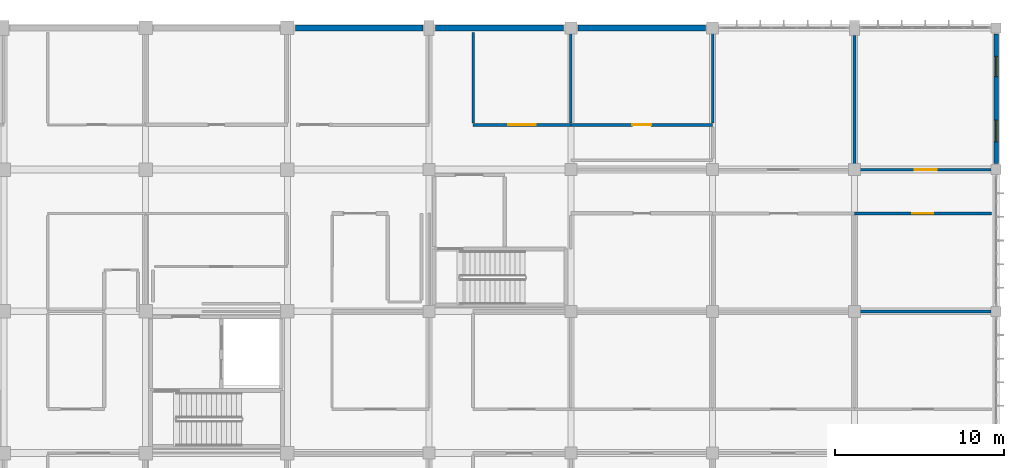
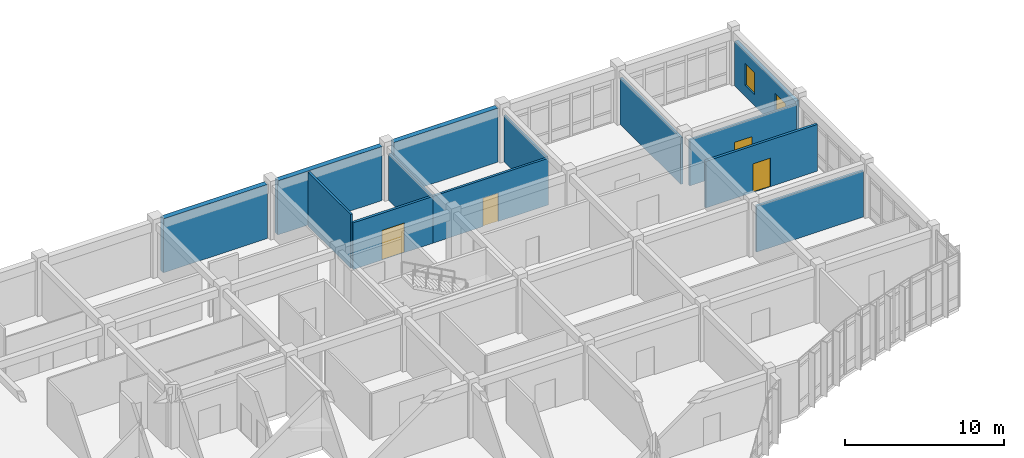
# One storey, part 121 of 144: 13 walls, 4 doors, 2 windows, 6 openings.
"""IFC4 building model written with IfcOpenShell, lengths in metres."""

from ifc_helpers import new_model, si_unit, direction, frame, frame_2d, origin, place, context, subcontext, project, spatial, rectangle, extrude, material, layer, layer_set, type_object, element, fill, save


model = new_model("IFC4")

# Units and contexts
model_context = context("Model", 3, precision=1e-05, world=origin(), true_north=direction((0.0, 1.0)))
body_context = subcontext(model_context, "Body", "Model", "MODEL_VIEW")
ifc_project = project(units=[si_unit("LENGTHUNIT", "METRE"), si_unit("AREAUNIT", "SQUARE_METRE"), si_unit("VOLUMEUNIT", "CUBIC_METRE"), si_unit("PLANEANGLEUNIT", "RADIAN"), si_unit("MASSUNIT", "GRAM", prefix="KILO")], contexts=[model_context])

# Site, building, storey
site_placement = place(None, origin())
site = spatial("IfcSite", under=ifc_project, at=site_placement, CompositionType="ELEMENT")
building_placement = place(site_placement, origin())
building = spatial("IfcBuilding", under=site, at=building_placement, Name="Bramfleet General Hospital", CompositionType="ELEMENT")
storey_placement = place(building_placement, frame((0.0, 0.0, 4.800048828125)))
storey = spatial("IfcBuildingStorey", under=building, at=storey_placement, Name="L01", CompositionType="ELEMENT", Elevation=4.800048828125)

# Walls
ifc_material_1 = material(Name="Concrete C35/45", Category="concrete")
ifc_layer_1 = layer(ifc_material_1, 0.360107421875, Name="WT-EW-02")
ifc_layer_set_1 = layer_set([ifc_layer_1], Name="Concrete C35/45")
wall_type_1 = type_object("IfcWallType", Name="WT-EW-02", PredefinedType="SOLIDWALL", material=ifc_layer_set_1)
wall_1_placement = place(storey_placement, frame((126.47509765625, 117.60009765625, 0.0), z_axis=(0.0, 0.0, 1.0), x_axis=(1.0, 0.0, 0.0)))
element("IfcWall", 1, at=wall_1_placement, inside=storey, type_object=wall_type_1, Name="L01 North REI 90-M Party Wall 171", PredefinedType="SOLIDWALL", context=body_context, shape_type="SweptSolid", body=[
    extrude(rectangle(XDim=7.5498046875, YDim=0.360107421875, at=frame_2d((3.77490234375, 0.0))), origin(), (0.0, 0.0, 1.0), 4.14990234375),
])
wall_2_placement = place(storey_placement, frame((134.77490234375, 117.60009765625, 0.0), z_axis=(0.0, 0.0, 1.0), x_axis=(1.0, 0.0, 0.0)))
element("IfcWall", 2, at=wall_2_placement, inside=storey, type_object=wall_type_1, Name="L01 North REI 90-M Party Wall 172", PredefinedType="SOLIDWALL", context=body_context, shape_type="SweptSolid", body=[
    extrude(rectangle(XDim=7.60009765625, YDim=0.360107421875, at=frame_2d((3.800048828125, 0.0))), origin(), (0.0, 0.0, 1.0), 4.14990234375),
])
wall_3_placement = place(storey_placement, frame((143.22509765625, 117.60009765625, 0.0), z_axis=(0.0, 0.0, 1.0), x_axis=(1.0, 0.0, 0.0)))
element("IfcWall", 3, at=wall_3_placement, inside=storey, type_object=wall_type_1, Name="L01 North REI 90-M Party Wall 173", PredefinedType="SOLIDWALL", context=body_context, shape_type="SweptSolid", body=[
    extrude(rectangle(XDim=7.5498046875, YDim=0.360107421875, at=frame_2d((3.77490234375, 0.0))), origin(), (0.0, 0.0, 1.0), 4.14990234375),
])

# Wall, openings, windows
ifc_material_2 = material(Name="Precast concrete C40/50", Category="concrete")
ifc_layer_2 = layer(ifc_material_2, 0.25, Name="WT-EW-08")
ifc_layer_set_2 = layer_set([ifc_layer_2], Name="Precast concrete C40/50")
wall_type_2 = type_object("IfcWallType", Name="WT-EW-08", PredefinedType="SOLIDWALL", material=ifc_layer_set_2)
wall_4_placement = place(storey_placement, frame((168.0, 117.22509765625, 0.0), z_axis=(0.0, 0.0, 1.0), x_axis=(0.0, -1.0, 0.0)))
wall_4 = element("IfcWall", 4, at=wall_4_placement, inside=storey, type_object=wall_type_2, Name="L01 Exterior Wall 174", PredefinedType="SOLIDWALL", context=body_context, shape_type="SweptSolid", body=[
    extrude(rectangle(XDim=7.650146484375, YDim=0.25, at=frame_2d((3.8251953125, 0.0))), origin(), (0.0, 0.0, 1.0), 3.43994140625),
])
opening_1_placement = place(wall_4_placement, frame((1.3125, 0.0, 0.85009765625)))
opening_1 = element("IfcOpeningElement", 5, at=opening_1_placement, cuts=wall_4, Name="Opening W-32", PredefinedType="OPENING", context=body_context, shape_type="SweptSolid", body=[
    extrude(rectangle(XDim=1.199951171875, YDim=1.659912109375, at=frame_2d((0.60009765625, 0.830078125))), frame((0.0, 0.135009765625, 0.0), z_axis=(0.0, -1.0, 0.0), x_axis=(1.0, 0.0, 0.0)), (0.0, 0.0, 1.0), 0.27001953125),
])
opening_2_placement = place(wall_4_placement, frame((5.08740234375, 0.0, 0.85009765625)))
opening_2 = element("IfcOpeningElement", 6, at=opening_2_placement, cuts=wall_4, Name="Opening W-33", PredefinedType="OPENING", context=body_context, shape_type="SweptSolid", body=[
    extrude(rectangle(XDim=1.300048828125, YDim=1.659912109375, at=frame_2d((0.64990234375, 0.830078125))), frame((0.0, 0.135009765625, 0.0), z_axis=(0.0, -1.0, 0.0), x_axis=(1.0, 0.0, 0.0)), (0.0, 0.0, 1.0), 0.27001953125),
])
ifc_material_3 = material(Name="Anodised aluminium and low-E triple glazing", Category="aluminium")
window_type_1 = type_object("IfcWindowType", Name="WIN-W-32", PartitioningType="SINGLE_PANEL", PredefinedType="WINDOW", material=ifc_material_3)
window_1_placement = place(opening_1_placement, origin())
window_1 = element("IfcWindow", 7, at=window_1_placement, inside=storey, type_object=window_type_1, Name="L01 Facade Window WIN-L01-174-1", OverallHeight=1.659912109375, OverallWidth=1.199951171875, PartitioningType="SINGLE_PANEL", PredefinedType="WINDOW", context=body_context, shape_type="SweptSolid", body=[
    extrude(rectangle(XDim=1.199951171875, YDim=1.659912109375, at=frame_2d((0.60009765625, 0.830078125))), frame((0.0, 0.030029296875, 0.0), z_axis=(0.0, -1.0, 0.0), x_axis=(1.0, 0.0, 0.0)), (0.0, 0.0, 1.0), 0.06005859375),
])
fill(opening_1, window_1)
window_type_2 = type_object("IfcWindowType", Name="WIN-W-33", PartitioningType="SINGLE_PANEL", PredefinedType="WINDOW", material=ifc_material_3)
window_2_placement = place(opening_2_placement, origin())
window_2 = element("IfcWindow", 8, at=window_2_placement, inside=storey, type_object=window_type_2, Name="L01 Facade Window WIN-L01-174-2", OverallHeight=1.659912109375, OverallWidth=1.300048828125, PartitioningType="SINGLE_PANEL", PredefinedType="WINDOW", context=body_context, shape_type="SweptSolid", body=[
    extrude(rectangle(XDim=1.300048828125, YDim=1.659912109375, at=frame_2d((0.64990234375, 0.830078125))), frame((0.0, 0.030029296875, 0.0), z_axis=(0.0, -1.0, 0.0), x_axis=(1.0, 0.0, 0.0)), (0.0, 0.0, 1.0), 0.06005859375),
])
fill(opening_2, window_2)

# Wall, opening, door
ifc_layer_3 = layer(ifc_material_1, 0.179931640625, Name="WT-IW-04")
ifc_layer_set_3 = layer_set([ifc_layer_3], Name="Concrete C35/45")
wall_type_3 = type_object("IfcWallType", Name="WT-IW-04", PredefinedType="PARTITIONING", material=ifc_layer_set_3)
wall_5_placement = place(storey_placement, frame((159.60009765625, 106.60009765625, 0.0), z_axis=(0.0, 0.0, 1.0), x_axis=(1.0, 0.0, 0.0)))
wall_5 = element("IfcWall", 9, at=wall_5_placement, inside=storey, type_object=wall_type_3, Name="L01 Interior Partition IW-L01-1552", PredefinedType="PARTITIONING", context=body_context, shape_type="SweptSolid", body=[
    extrude(rectangle(XDim=8.119873046875, YDim=0.179931640625, at=frame_2d((4.06005859375, 0.0))), origin(), (0.0, 0.0, 1.0), 3.58984375),
])
opening_3_placement = place(wall_5_placement, frame((3.43505859375, 0.0, 0.0)))
opening_3 = element("IfcOpeningElement", 10, at=opening_3_placement, cuts=wall_5, Name="Opening D0846", PredefinedType="OPENING", context=body_context, shape_type="SweptSolid", body=[
    extrude(rectangle(XDim=1.25, YDim=2.199951171875, at=frame_2d((0.625, 1.10009765625))), frame((0.0, 0.099853515625, 0.0), z_axis=(0.0, -1.0, 0.0), x_axis=(1.0, 0.0, 0.0)), (0.0, 0.0, 1.0), 0.199951171875),
])
ifc_material_4 = material(Name="Stainless steel and acoustic timber leaf", Category="steel")
door_type_1 = type_object("IfcDoorType", Name="DR-D-14", OperationType="NOTDEFINED", PredefinedType="DOOR", material=ifc_material_4)
door_1_placement = place(opening_3_placement, origin())
door_1 = element("IfcDoor", 11, at=door_1_placement, inside=storey, type_object=door_type_1, Name="Pathology and Clinical Laboratory L01-1912A Door D0846", OperationType="SINGLE_SWING_LEFT", OverallHeight=2.199951171875, OverallWidth=1.25, PredefinedType="DOOR", context=body_context, shape_type="SweptSolid", body=[
    extrude(rectangle(XDim=1.25, YDim=2.199951171875, at=frame_2d((0.625, 1.10009765625))), frame((0.0, 0.02490234375, 0.0), z_axis=(0.0, -1.0, 0.0), x_axis=(1.0, 0.0, 0.0)), (0.0, 0.0, 1.0), 0.050048828125),
])
fill(opening_3, door_1)

wall_6_placement = place(storey_placement, frame((137.0, 111.85009765625, 0.0), z_axis=(0.0, 0.0, 1.0), x_axis=(1.0, 0.0, 0.0)))
wall_6 = element("IfcWall", 12, at=wall_6_placement, inside=storey, type_object=wall_type_3, Name="L01 Interior Partition IW-L01-1576", PredefinedType="PARTITIONING", context=body_context, shape_type="SweptSolid", body=[
    extrude(rectangle(XDim=5.800048828125, YDim=0.179931640625, at=frame_2d((2.89990234375, 0.0))), origin(), (0.0, 0.0, 1.0), 3.58984375),
])
opening_4_placement = place(wall_6_placement, frame((2.080078125, 0.0, 0.0)))
opening_4 = element("IfcOpeningElement", 13, at=opening_4_placement, cuts=wall_6, Name="Opening D0818", PredefinedType="OPENING", context=body_context, shape_type="SweptSolid", body=[
    extrude(rectangle(XDim=1.639892578125, YDim=2.280029296875, at=frame_2d((0.81982421875, 1.14013671875))), frame((0.0, 0.099853515625, 0.0), z_axis=(0.0, -1.0, 0.0), x_axis=(1.0, 0.0, 0.0)), (0.0, 0.0, 1.0), 0.199951171875),
])
door_type_2 = type_object("IfcDoorType", Name="DR-D-18", OperationType="NOTDEFINED", PredefinedType="DOOR", material=ifc_material_4)
door_2_placement = place(opening_4_placement, origin())
door_2 = element("IfcDoor", 14, at=door_2_placement, inside=storey, type_object=door_type_2, Name="Pathology and Clinical Laboratory L01-1613A Door D0818", OperationType="DOUBLE_SWING_LEFT", OverallHeight=2.280029296875, OverallWidth=1.639892578125, PredefinedType="DOOR", context=body_context, shape_type="SweptSolid", body=[
    extrude(rectangle(XDim=1.639892578125, YDim=2.280029296875, at=frame_2d((0.81982421875, 1.14013671875))), frame((0.0, 0.02490234375, 0.0), z_axis=(0.0, -1.0, 0.0), x_axis=(1.0, 0.0, 0.0)), (0.0, 0.0, 1.0), 0.050048828125),
])
fill(opening_4, door_2)

# Wall
ifc_material_5 = material(Name="Gypsum plasterboard on acoustic steel studs", Category="steel")
ifc_layer_4 = layer(ifc_material_5, 0.169921875, Name="WT-IW-05")
ifc_layer_set_4 = layer_set([ifc_layer_4], Name="Gypsum plasterboard on acoustic steel studs")
wall_type_4 = type_object("IfcWallType", Name="WT-IW-05", PredefinedType="PARTITIONING", material=ifc_layer_set_4)
wall_7_placement = place(storey_placement, frame((159.945068359375, 100.800048828125, 0.0), z_axis=(0.0, 0.0, 1.0), x_axis=(1.0, 0.0, 0.0)))
element("IfcWall", 15, at=wall_7_placement, inside=storey, type_object=wall_type_4, Name="L01 Interior Partition IW-L01-1529", PredefinedType="PARTITIONING", context=body_context, shape_type="SweptSolid", body=[
    extrude(rectangle(XDim=7.760009765625, YDim=0.169921875, at=frame_2d((3.8798828125, 0.0))), origin(), (0.0, 0.0, 1.0), 3.5400390625),
])

# Wall, opening, door
wall_8_placement = place(storey_placement, frame((142.800048828125, 111.85009765625, 0.0), z_axis=(0.0, 0.0, 1.0), x_axis=(1.0, 0.0, 0.0)))
wall_8 = element("IfcWall", 16, at=wall_8_placement, inside=storey, type_object=wall_type_4, Name="L01 Interior Partition IW-L01-1577", PredefinedType="PARTITIONING", context=body_context, shape_type="SweptSolid", body=[
    extrude(rectangle(XDim=8.39990234375, YDim=0.169921875, at=frame_2d((4.199951171875, 0.0))), origin(), (0.0, 0.0, 1.0), 3.58984375),
])
opening_5_placement = place(wall_8_placement, frame((3.639892578125, 0.0, 0.0)))
opening_5 = element("IfcOpeningElement", 17, at=opening_5_placement, cuts=wall_8, Name="Opening D0827", PredefinedType="OPENING", context=body_context, shape_type="SweptSolid", body=[
    extrude(rectangle(XDim=1.1201171875, YDim=2.179931640625, at=frame_2d((0.56005859375, 1.08984375))), frame((0.0, 0.094970703125, 0.0), z_axis=(0.0, -1.0, 0.0), x_axis=(1.0, 0.0, 0.0)), (0.0, 0.0, 1.0), 0.18994140625),
])
door_type_3 = type_object("IfcDoorType", Name="DR-D-27", OperationType="NOTDEFINED", PredefinedType="DOOR", material=ifc_material_4)
door_3_placement = place(opening_5_placement, origin())
door_3 = element("IfcDoor", 18, at=door_3_placement, inside=storey, type_object=door_type_3, Name="Pathology and Clinical Laboratory L01-1713A Door D0827", OperationType="SINGLE_SWING_RIGHT", OverallHeight=2.179931640625, OverallWidth=1.1201171875, PredefinedType="DOOR", context=body_context, shape_type="SweptSolid", body=[
    extrude(rectangle(XDim=1.1201171875, YDim=2.179931640625, at=frame_2d((0.56005859375, 1.08984375))), frame((0.0, 0.02490234375, 0.0), z_axis=(0.0, -1.0, 0.0), x_axis=(1.0, 0.0, 0.0)), (0.0, 0.0, 1.0), 0.050048828125),
])
fill(opening_5, door_3)

# Wall
ifc_layer_5 = layer(ifc_material_5, 0.159912109375, Name="WT-IW-06")
ifc_layer_set_5 = layer_set([ifc_layer_5], Name="Gypsum plasterboard on acoustic steel studs")
wall_type_5 = type_object("IfcWallType", Name="WT-IW-06", PredefinedType="PARTITIONING", material=ifc_layer_set_5)
wall_9_placement = place(storey_placement, frame((159.60009765625, 109.544921875, 0.0), z_axis=(0.0, 0.0, 1.0), x_axis=(0.0, 1.0, 0.0)))
element("IfcWall", 19, at=wall_9_placement, inside=storey, type_object=wall_type_5, Name="L01 Interior Partition IW-L01-1926", PredefinedType="PARTITIONING", context=body_context, shape_type="SweptSolid", body=[
    extrude(rectangle(XDim=7.610107421875, YDim=0.159912109375, at=frame_2d((3.80517578125, 0.0))), origin(), (0.0, 0.0, 1.0), 3.58984375),
])

# Wall, opening, door
ifc_layer_6 = layer(ifc_material_5, 0.14990234375, Name="WT-IW-07")
ifc_layer_set_6 = layer_set([ifc_layer_6], Name="Gypsum plasterboard on acoustic steel studs")
wall_type_6 = type_object("IfcWallType", Name="WT-IW-07", PredefinedType="PARTITIONING", material=ifc_layer_set_6)
wall_10_placement = place(storey_placement, frame((159.945068359375, 109.199951171875, 0.0), z_axis=(0.0, 0.0, 1.0), x_axis=(1.0, 0.0, 0.0)))
wall_10 = element("IfcWall", 20, at=wall_10_placement, inside=storey, type_object=wall_type_6, Name="L01 Interior Partition IW-L01-1567", PredefinedType="PARTITIONING", context=body_context, shape_type="SweptSolid", body=[
    extrude(rectangle(XDim=7.760009765625, YDim=0.14990234375, at=frame_2d((3.8798828125, 0.0))), origin(), (0.0, 0.0, 1.0), 3.5400390625),
])
opening_6_placement = place(wall_10_placement, frame((3.22998046875, 0.0, 0.0)))
opening_6 = element("IfcOpeningElement", 21, at=opening_6_placement, cuts=wall_10, Name="Opening D0847", PredefinedType="OPENING", context=body_context, shape_type="SweptSolid", body=[
    extrude(rectangle(XDim=1.300048828125, YDim=2.199951171875, at=frame_2d((0.64990234375, 1.10009765625))), frame((0.0, 0.0849609375, 0.0), z_axis=(0.0, -1.0, 0.0), x_axis=(1.0, 0.0, 0.0)), (0.0, 0.0, 1.0), 0.169921875),
])
door_type_4 = type_object("IfcDoorType", Name="DR-D-15", OperationType="NOTDEFINED", PredefinedType="DOOR", material=ifc_material_4)
door_4_placement = place(opening_6_placement, origin())
door_4 = element("IfcDoor", 22, at=door_4_placement, inside=storey, type_object=door_type_4, Name="Pathology and Clinical Laboratory L01-1913A Door D0847", OperationType="SINGLE_SWING_RIGHT", OverallHeight=2.199951171875, OverallWidth=1.300048828125, PredefinedType="DOOR", context=body_context, shape_type="SweptSolid", body=[
    extrude(rectangle(XDim=1.300048828125, YDim=2.199951171875, at=frame_2d((0.64990234375, 1.10009765625))), frame((0.0, 0.02490234375, 0.0), z_axis=(0.0, -1.0, 0.0), x_axis=(1.0, 0.0, 0.0)), (0.0, 0.0, 1.0), 0.050048828125),
])
fill(opening_6, door_4)

# Walls
wall_11_placement = place(storey_placement, frame((137.0, 111.965087890625, 0.0), z_axis=(0.0, 0.0, 1.0), x_axis=(0.0, 1.0, 0.0)))
element("IfcWall", 23, at=wall_11_placement, inside=storey, type_object=wall_type_6, Name="L01 Interior Partition IW-L01-1891", PredefinedType="PARTITIONING", context=body_context, shape_type="SweptSolid", body=[
    extrude(rectangle(XDim=5.35498046875, YDim=0.14990234375, at=frame_2d((2.677490234375, 0.0))), origin(), (0.0, 0.0, 1.0), 4.139892578125),
])
ifc_layer_7 = layer(ifc_material_5, 0.139892578125, Name="WT-IW-08")
ifc_layer_set_7 = layer_set([ifc_layer_7], Name="Gypsum plasterboard on acoustic steel studs")
wall_type_7 = type_object("IfcWallType", Name="WT-IW-08", PredefinedType="PARTITIONING", material=ifc_layer_set_7)
for number, where, z_axis, x_axis, name in (
    (24, (142.800048828125, 111.965087890625, 0.0), (0.0, 0.0, 1.0), (0.0, 1.0, 0.0), "L01 Interior Partition IW-L01-1904"),
    (25, (151.199951171875, 111.965087890625, 0.0), (0.0, 0.0, 1.0), (0.0, 1.0, 0.0), "L01 Interior Partition IW-L01-1916"),
):
    element("IfcWall", number, at=place(storey_placement, frame(where, z_axis=z_axis, x_axis=x_axis)), inside=storey, type_object=wall_type_7, Name=name, PredefinedType="PARTITIONING", context=body_context, shape_type="SweptSolid", body=[
        extrude(rectangle(XDim=5.289794921875, YDim=0.139892578125, at=frame_2d((2.64501953125, 0.0))), origin(), (0.0, 0.0, 1.0), 3.58984375),
    ])

save(model, "model.ifc")
